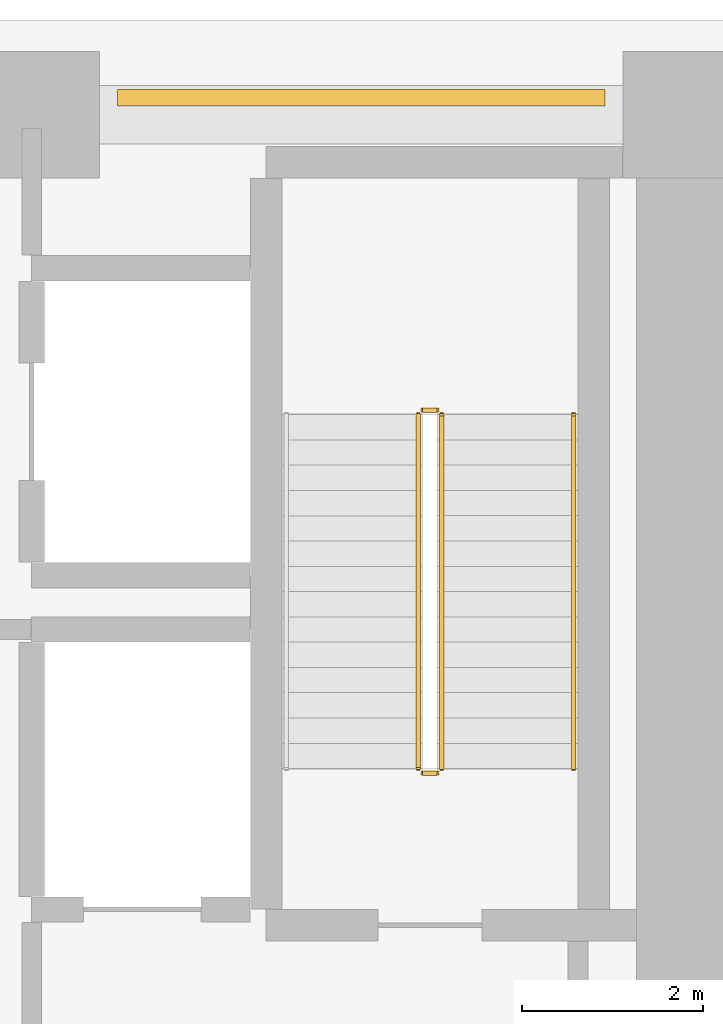
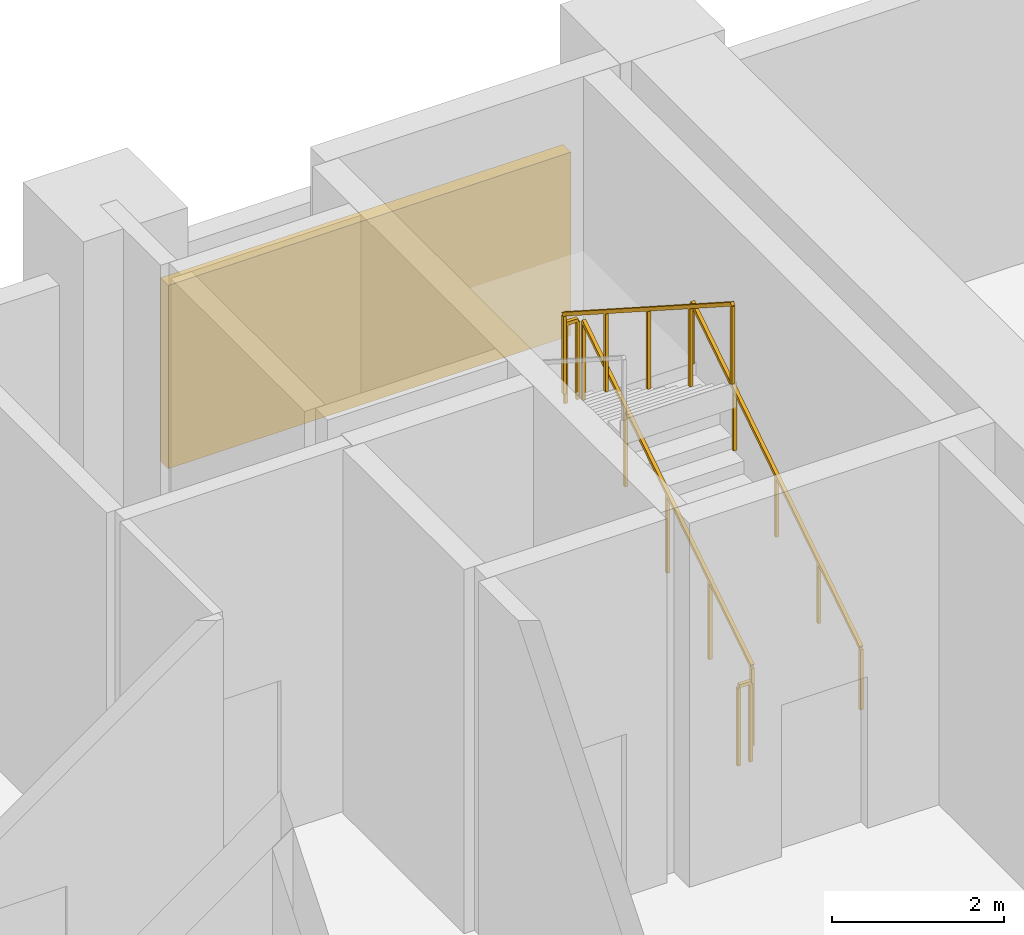
# One storey, part 15 of 15: 5 railings, 1 shading device.
"""IFC4 building model written with IfcOpenShell, lengths in metres."""

from ifc_helpers import new_model, si_unit, direction, frame, origin, origin_2d, place, context, subcontext, project, spatial, rectangle, extrude, material, type_object, element, save


model = new_model("IFC4")

# Units and contexts
model_context = context("Model", 3, precision=1e-05, world=origin(), true_north=direction((0.0, 1.0)))
body_context = subcontext(model_context, "Body", "Model", "MODEL_VIEW")
ifc_project = project(units=[si_unit("LENGTHUNIT", "METRE"), si_unit("AREAUNIT", "SQUARE_METRE"), si_unit("VOLUMEUNIT", "CUBIC_METRE"), si_unit("PLANEANGLEUNIT", "RADIAN"), si_unit("MASSUNIT", "GRAM", prefix="KILO")], contexts=[model_context])

# Site, building, storey
site_placement = place(None, origin())
site = spatial("IfcSite", under=ifc_project, at=site_placement, CompositionType="ELEMENT")
building_placement = place(site_placement, origin())
building = spatial("IfcBuilding", under=site, at=building_placement, Name="Kaelvorn Grand Hotel", CompositionType="ELEMENT")
storey_placement = place(building_placement, frame((0.0, 0.0, 80.14990234375)))
storey = spatial("IfcBuildingStorey", under=building, at=storey_placement, Name="L18", CompositionType="ELEMENT", Elevation=80.14990234375)

# Railings
ifc_material_1 = material(Name="Stainless Steel", Category="steel")
railing_type_1 = type_object("IfcRailingType", Name="RL-HANDRAIL-900", PredefinedType="HANDRAIL", material=ifc_material_1)
railing_1_placement = place(storey_placement, frame((66.550048828125, 41.760009765625, 0.18017578125)))
element("IfcRailing", 1, at=railing_1_placement, inside=storey, type_object=railing_type_1, Name="L18 ST3 stair handrail 1", PredefinedType="HANDRAIL", context=body_context, shape_type="SweptSolid", body=[
    extrude(rectangle(XDim=0.048095703125, YDim=0.048095703125, at=origin_2d()), frame((0.0, 0.0, 0.8759765625), z_axis=(0.0, 0.841171666519, 0.540768182723), x_axis=(-1.0, 0.0, 0.0)), (0.0, 0.0, 1.0), 4.66015625),
    extrude(rectangle(XDim=0.0419921875, YDim=0.0419921875, at=origin_2d()), origin(), (0.0, 0.0, 1.0), 0.851806640625),
    extrude(rectangle(XDim=0.0419921875, YDim=0.0419921875, at=origin_2d()), frame((0.0, 0.97998046875, 0.6298828125)), (0.0, 0.0, 1.0), 0.851806640625),
    extrude(rectangle(XDim=0.0419921875, YDim=0.0419921875, at=origin_2d()), frame((0.0, 1.9599609375, 1.260009765625)), (0.0, 0.0, 1.0), 0.851806640625),
    extrude(rectangle(XDim=0.0419921875, YDim=0.0419921875, at=origin_2d()), frame((0.0, 2.93994140625, 1.89013671875)), (0.0, 0.0, 1.0), 0.851806640625),
    extrude(rectangle(XDim=0.0419921875, YDim=0.0419921875, at=origin_2d()), frame((0.0, 3.919921875, 2.52001953125)), (0.0, 0.0, 1.0), 0.851806640625),
])
railing_type_2 = type_object("IfcRailingType", Name="RL-STAIR-GUARD-1150", PredefinedType="BALUSTRADE", material=ifc_material_1)
railing_2_placement = place(storey_placement, frame((65.090087890625, 41.760009765625, 0.18017578125)))
element("IfcRailing", 2, at=railing_2_placement, inside=storey, type_object=railing_type_2, Name="L18 ST3 stair guard 1", PredefinedType="BALUSTRADE", context=body_context, shape_type="SweptSolid", body=[
    extrude(rectangle(XDim=0.048095703125, YDim=0.048095703125, at=origin_2d()), frame((0.0, 0.0, 1.1259765625), z_axis=(0.0, 0.841171666519, 0.540768182723), x_axis=(-1.0, 0.0, 0.0)), (0.0, 0.0, 1.0), 4.66015625),
    extrude(rectangle(XDim=0.0419921875, YDim=0.0419921875, at=origin_2d()), origin(), (0.0, 0.0, 1.0), 1.101806640625),
    extrude(rectangle(XDim=0.0419921875, YDim=0.0419921875, at=origin_2d()), frame((0.0, 0.97998046875, 0.6298828125)), (0.0, 0.0, 1.0), 1.101806640625),
    extrude(rectangle(XDim=0.0419921875, YDim=0.0419921875, at=origin_2d()), frame((0.0, 1.9599609375, 1.260009765625)), (0.0, 0.0, 1.0), 1.101806640625),
    extrude(rectangle(XDim=0.0419921875, YDim=0.0419921875, at=origin_2d()), frame((0.0, 2.93994140625, 1.89013671875)), (0.0, 0.0, 1.0), 1.101806640625),
    extrude(rectangle(XDim=0.0419921875, YDim=0.0419921875, at=origin_2d()), frame((0.0, 3.919921875, 2.52001953125)), (0.0, 0.0, 1.0), 1.101806640625),
])
railing_3_placement = place(storey_placement, frame((65.0400390625, 45.72998046875, 2.7001953125)))
element("IfcRailing", 3, at=railing_3_placement, inside=storey, type_object=railing_type_2, Name="L18 ST3 stair guard 2", PredefinedType="BALUSTRADE", context=body_context, shape_type="SweptSolid", body=[
    extrude(rectangle(XDim=0.048095703125, YDim=0.048095703125, at=origin_2d()), frame((0.0, 0.0, 1.1259765625), z_axis=(-1.0, 0.0, 0.0), x_axis=(0.0, -1.0, 0.0)), (0.0, 0.0, 1.0), 0.16015625),
    extrude(rectangle(XDim=0.0419921875, YDim=0.0419921875, at=origin_2d()), origin(), (0.0, 0.0, 1.0), 1.101806640625),
    extrude(rectangle(XDim=0.0419921875, YDim=0.0419921875, at=origin_2d()), frame((-0.16015625, 0.0, 0.0)), (0.0, 0.0, 1.0), 1.101806640625),
])
railing_4_placement = place(storey_placement, frame((64.830078125, 45.679931640625, 2.880126953125)))
element("IfcRailing", 4, at=railing_4_placement, inside=storey, type_object=railing_type_2, Name="L18 ST3 stair guard 3", PredefinedType="BALUSTRADE", context=body_context, shape_type="SweptSolid", body=[
    extrude(rectangle(XDim=0.048095703125, YDim=0.048095703125, at=origin_2d()), frame((0.0, 0.0, 1.1259765625), z_axis=(0.0, -0.841171666519, 0.540768182723), x_axis=(1.0, 0.0, 0.0)), (0.0, 0.0, 1.0), 4.66015625),
    extrude(rectangle(XDim=0.0419921875, YDim=0.0419921875, at=origin_2d()), origin(), (0.0, 0.0, 1.0), 1.101806640625),
    extrude(rectangle(XDim=0.0419921875, YDim=0.0419921875, at=origin_2d()), frame((0.0, -0.97998046875, 0.6298828125)), (0.0, 0.0, 1.0), 1.101806640625),
    extrude(rectangle(XDim=0.0419921875, YDim=0.0419921875, at=origin_2d()), frame((0.0, -1.9599609375, 1.260009765625)), (0.0, 0.0, 1.0), 1.101806640625),
    extrude(rectangle(XDim=0.0419921875, YDim=0.0419921875, at=origin_2d()), frame((0.0, -2.93994140625, 1.89013671875)), (0.0, 0.0, 1.0), 1.101806640625),
    extrude(rectangle(XDim=0.0419921875, YDim=0.0419921875, at=origin_2d()), frame((0.0, -3.919921875, 2.52001953125)), (0.0, 0.0, 1.0), 1.101806640625),
])
railing_5_placement = place(storey_placement, frame((65.0400390625, 41.7099609375, 0.0)))
element("IfcRailing", 5, at=railing_5_placement, inside=storey, type_object=railing_type_2, Name="L18 ST3 stair guard 4", PredefinedType="BALUSTRADE", context=body_context, shape_type="SweptSolid", body=[
    extrude(rectangle(XDim=0.048095703125, YDim=0.048095703125, at=origin_2d()), frame((0.0, 0.0, 1.1259765625), z_axis=(-1.0, 0.0, 0.0), x_axis=(0.0, -1.0, 0.0)), (0.0, 0.0, 1.0), 0.16015625),
    extrude(rectangle(XDim=0.0419921875, YDim=0.0419921875, at=origin_2d()), origin(), (0.0, 0.0, 1.0), 1.101806640625),
    extrude(rectangle(XDim=0.0419921875, YDim=0.0419921875, at=origin_2d()), frame((-0.16015625, 0.0, 0.0)), (0.0, 0.0, 1.0), 1.101806640625),
])

# Shading device
ifc_material_2 = material(Name="Anodised Aluminium", Category="aluminium")
shading_device_type = type_object("IfcShadingDeviceType", Name="SHD-LOUVRE-PLANT", PredefinedType="USERDEFINED", material=ifc_material_2)
shading_device_placement = place(storey_placement, frame((64.199951171875, 49.18994140625, 0.900146484375), z_axis=(0.0, 0.0, 1.0), x_axis=(1.0, 0.0, 0.0)))
element("IfcShadingDevice", 6, at=shading_device_placement, inside=storey, type_object=shading_device_type, Name="L18 Mechanical Plant Aluminium Louvre Screen N7", ObjectType="LOUVRE", PredefinedType="USERDEFINED", context=body_context, shape_type="SweptSolid", body=[
    extrude(rectangle(XDim=5.39990234375, YDim=0.179931640625, at=origin_2d()), origin(), (0.0, 0.0, 1.0), 2.60009765625),
])

save(model, "model.ifc")
